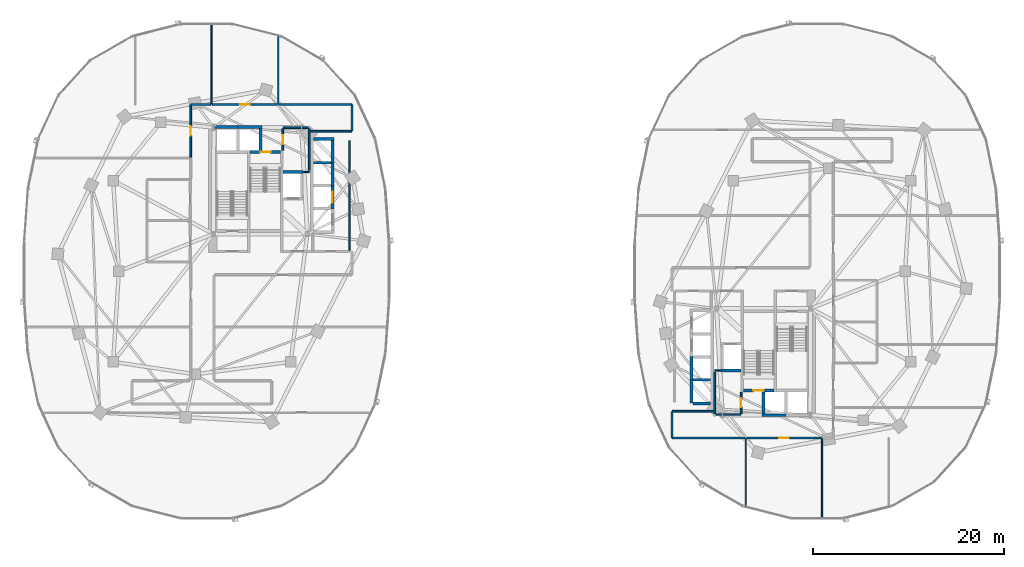
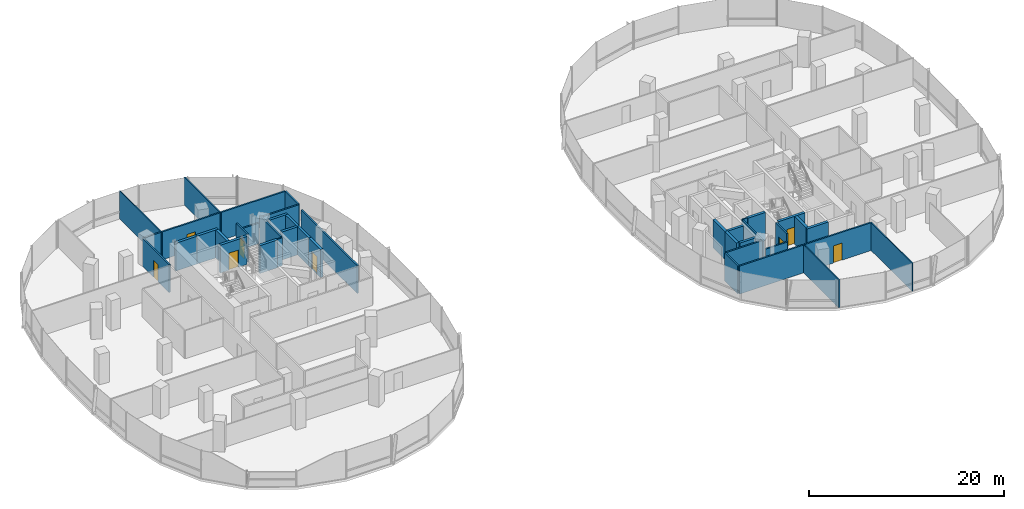
# One storey, part 12 of 21: 41 walls, 8 doors, 8 openings.
"""IFC4 building model written with IfcOpenShell, lengths in metres."""

from ifc_helpers import new_model, si_unit, direction, frame, frame_2d, origin, place, context, subcontext, project, spatial, rectangle, extrude, material, layer, layer_set, type_object, element, fill, save


model = new_model("IFC4")

# Units and contexts
model_context = context("Model", 3, precision=1e-05, world=origin(), true_north=direction((0.0, 1.0)))
body_context = subcontext(model_context, "Body", "Model", "MODEL_VIEW")
ifc_project = project(units=[si_unit("LENGTHUNIT", "METRE"), si_unit("AREAUNIT", "SQUARE_METRE"), si_unit("VOLUMEUNIT", "CUBIC_METRE"), si_unit("PLANEANGLEUNIT", "RADIAN"), si_unit("MASSUNIT", "GRAM", prefix="KILO"), si_unit("THERMODYNAMICTEMPERATUREUNIT", "KELVIN"), si_unit("POWERUNIT", "WATT")], contexts=[model_context])

# Site, building, storey
site_placement = place(None, origin())
site = spatial("IfcSite", under=ifc_project, at=site_placement, CompositionType="ELEMENT")
building_placement = place(site_placement, origin())
building = spatial("IfcBuilding", under=site, at=building_placement, Name="Cundina Bronze Exchange", CompositionType="ELEMENT")
storey_placement = place(building_placement, frame((0.0, 0.0, 65.800048828125)))
storey = spatial("IfcBuildingStorey", under=building, at=storey_placement, Name="L16", CompositionType="ELEMENT", Elevation=65.800048828125)

# Walls
ifc_material_1 = material(Name="Gypsum Fireboard Partition EI120")
ifc_layer_1 = layer(ifc_material_1, 0.179931640625, Name="Gypsum Fireboard Partition EI120")
ifc_layer_set_1 = layer_set([ifc_layer_1], Name="Gypsum Fireboard Partition EI120")
wall_type_1 = type_object("IfcWallType", Name="WL-COR-180", PredefinedType="PARTITIONING", material=ifc_layer_set_1)
wall_1_placement = place(storey_placement, frame((-17.02001953125, 2.169921875, 0.0), z_axis=(0.0, 0.0, 1.0), x_axis=(0.0, 1.0, 0.0)))
element("IfcWall", 1, at=wall_1_placement, inside=storey, type_object=wall_type_1, Name="L16 Interior Partition 001", PredefinedType="PARTITIONING", context=body_context, shape_type="SweptSolid", body=[
    extrude(rectangle(XDim=11.510009765625, YDim=0.179931640625, at=frame_2d((5.7548828125, 0.0))), origin(), (0.0, 0.0, 1.0), 3.5),
])
wall_2_placement = place(storey_placement, frame((-21.25, 10.570068359375, 0.0), z_axis=(0.0, 0.0, 1.0), x_axis=(0.0, 1.0, 0.0)))
element("IfcWall", 2, at=wall_2_placement, inside=storey, type_object=wall_type_1, Name="L16 Interior Partition 004", PredefinedType="PARTITIONING", context=body_context, shape_type="SweptSolid", body=[
    extrude(rectangle(XDim=4.35986328125, YDim=0.179931640625, at=frame_2d((2.179931640625, 0.0))), origin(), (0.0, 0.0, 1.0), 3.5),
])
wall_3_placement = place(storey_placement, frame((-23.9599609375, 15.030029296875, 0.0), z_axis=(0.0, 0.0, 1.0), x_axis=(1.0, 0.0, 0.0)))
element("IfcWall", 3, at=wall_3_placement, inside=storey, type_object=wall_type_1, Name="L16 Interior Partition 005", PredefinedType="PARTITIONING", context=body_context, shape_type="SweptSolid", body=[
    extrude(rectangle(XDim=2.60986328125, YDim=0.179931640625, at=frame_2d((1.304931640625, 0.0))), origin(), (0.0, 0.0, 1.0), 2.572998046875),
])

# Wall, opening, door
wall_4_placement = place(storey_placement, frame((-24.02001953125, 12.669921875, 0.0), z_axis=(0.0, 0.0, 1.0), x_axis=(0.0, 1.0, 0.0)))
wall_4 = element("IfcWall", 4, at=wall_4_placement, inside=storey, type_object=wall_type_1, Name="L16 Interior Partition 006", PredefinedType="PARTITIONING", context=body_context, shape_type="SweptSolid", body=[
    extrude(rectangle(XDim=2.260009765625, YDim=0.179931640625, at=frame_2d((1.1298828125, 0.0))), origin(), (0.0, 0.0, 1.0), 3.5),
])
opening_1_placement = place(wall_4_placement, frame((0.655029296875, 0.0, 0.0)))
opening_1 = element("IfcOpeningElement", 5, at=opening_1_placement, cuts=wall_4, Name="Opening DW-01", PredefinedType="OPENING", context=body_context, shape_type="SweptSolid", body=[
    extrude(rectangle(XDim=0.949951171875, YDim=2.10009765625, at=frame_2d((0.47509765625, 1.050048828125))), frame((0.0, 0.099853515625, 0.0), z_axis=(0.0, -1.0, 0.0), x_axis=(1.0, 0.0, 0.0)), (0.0, 0.0, 1.0), 0.199951171875),
])
ifc_material_2 = material(Name="Solid Andean Oak Timber Grade A", Category="wood")
door_type_1 = type_object("IfcDoorType", Name="DR-WC-950", OperationType="NOTDEFINED", PredefinedType="DOOR", material=ifc_material_2)
door_1_placement = place(opening_1_placement, origin())
door_1 = element("IfcDoor", 6, at=door_1_placement, inside=storey, type_object=door_type_1, Name="L16 Interior Door 006", OperationType="SINGLE_SWING_LEFT", OverallHeight=2.10009765625, OverallWidth=0.949951171875, PredefinedType="DOOR", context=body_context, shape_type="SweptSolid", body=[
    extrude(rectangle(XDim=0.949951171875, YDim=2.10009765625, at=frame_2d((0.47509765625, 1.050048828125))), frame((0.0, 0.02490234375, 0.0), z_axis=(0.0, -1.0, 0.0), x_axis=(1.0, 0.0, 0.0)), (0.0, 0.0, 1.0), 0.050048828125),
])
fill(opening_1, door_1)

# Walls
wall_5_placement = place(storey_placement, frame((-16.821533203125, 17.469970703125, 0.0), z_axis=(0.0, 0.0, 1.0), x_axis=(-1.0, 0.0, 0.0)))
element("IfcWall", 7, at=wall_5_placement, inside=storey, type_object=wall_type_1, Name="L16 Interior Partition 030", PredefinedType="PARTITIONING", context=body_context, shape_type="SweptSolid", body=[
    extrude(rectangle(XDim=7.58837890625, YDim=0.179931640625, at=frame_2d((3.794189453125, 0.0))), origin(), (0.0, 0.0, 1.0), 3.5),
])
wall_6_placement = place(storey_placement, frame((-21.178466796875, 14.679931640625, 0.0), z_axis=(0.0, 0.0, 1.0), x_axis=(1.0, 0.0, 0.0)))
element("IfcWall", 8, at=wall_6_placement, inside=storey, type_object=wall_type_1, Name="L16 Interior Partition 032", PredefinedType="PARTITIONING", context=body_context, shape_type="SweptSolid", body=[
    extrude(rectangle(XDim=4.35693359375, YDim=0.179931640625, at=frame_2d((2.178466796875, 0.0))), origin(), (0.0, 0.0, 1.0), 3.5),
])
wall_7_placement = place(storey_placement, frame((-16.780029296875, 14.721435546875, 0.0), z_axis=(0.0, 0.0, 1.0), x_axis=(0.0, 1.0, 0.0)))
element("IfcWall", 9, at=wall_7_placement, inside=storey, type_object=wall_type_1, Name="L16 Interior Partition 033", PredefinedType="PARTITIONING", context=body_context, shape_type="SweptSolid", body=[
    extrude(rectangle(XDim=2.70703125, YDim=0.179931640625, at=frame_2d((1.353515625, 0.0))), origin(), (0.0, 0.0, 1.0), 3.5),
])

# Wall, opening, door
wall_8_placement = place(storey_placement, frame((-33.669921875, 17.428466796875, 0.0), z_axis=(0.0, 0.0, 1.0), x_axis=(0.0, -1.0, 0.0)))
wall_8 = element("IfcWall", 10, at=wall_8_placement, inside=storey, type_object=wall_type_1, Name="L16 Interior Partition 035", PredefinedType="PARTITIONING", context=body_context, shape_type="SweptSolid", body=[
    extrude(rectangle(XDim=5.45849609375, YDim=0.179931640625, at=frame_2d((2.729248046875, 0.0))), origin(), (0.0, 0.0, 1.0), 3.5),
])
opening_2_placement = place(wall_8_placement, frame((2.229248046875, 0.0, 0.0)))
opening_2 = element("IfcOpeningElement", 11, at=opening_2_placement, cuts=wall_8, Name="Opening DO-01", PredefinedType="OPENING", context=body_context, shape_type="SweptSolid", body=[
    extrude(rectangle(XDim=1.0, YDim=2.14990234375, at=frame_2d((0.5, 1.074951171875))), frame((0.0, 0.099853515625, 0.0), z_axis=(0.0, -1.0, 0.0), x_axis=(1.0, 0.0, 0.0)), (0.0, 0.0, 1.0), 0.199951171875),
])
door_type_2 = type_object("IfcDoorType", Name="DR-OFF-1000", OperationType="NOTDEFINED", PredefinedType="DOOR", material=ifc_material_2)
door_2_placement = place(opening_2_placement, origin())
door_2 = element("IfcDoor", 12, at=door_2_placement, inside=storey, type_object=door_type_2, Name="L16 Interior Door 035", OperationType="SINGLE_SWING_RIGHT", OverallHeight=2.14990234375, OverallWidth=1.0, PredefinedType="DOOR", context=body_context, shape_type="SweptSolid", body=[
    extrude(rectangle(XDim=1.0, YDim=2.14990234375, at=frame_2d((0.5, 1.074951171875))), frame((0.0, 0.02490234375, 0.0), z_axis=(0.0, -1.0, 0.0), x_axis=(1.0, 0.0, 0.0)), (0.0, 0.0, 1.0), 0.050048828125),
])
fill(opening_2, door_2)

# Wall
wall_9_placement = place(storey_placement, frame((-31.590087890625, 17.469970703125, 0.0), z_axis=(0.0, 0.0, 1.0), x_axis=(-1.0, 0.0, 0.0)))
element("IfcWall", 13, at=wall_9_placement, inside=storey, type_object=wall_type_1, Name="L16 Interior Partition 036", PredefinedType="PARTITIONING", context=body_context, shape_type="SweptSolid", body=[
    extrude(rectangle(XDim=2.038330078125, YDim=0.179931640625, at=frame_2d((1.01904296875, 0.0))), origin(), (0.0, 0.0, 1.0), 3.5),
])

# Wall, opening, door
wall_10_placement = place(storey_placement, frame((-24.590087890625, 17.469970703125, 0.0), z_axis=(0.0, 0.0, 1.0), x_axis=(-1.0, 0.0, 0.0)))
wall_10 = element("IfcWall", 14, at=wall_10_placement, inside=storey, type_object=wall_type_1, Name="L16 Interior Partition 037", PredefinedType="PARTITIONING", context=body_context, shape_type="SweptSolid", body=[
    extrude(rectangle(XDim=6.81982421875, YDim=0.179931640625, at=frame_2d((3.409912109375, 0.0))), origin(), (0.0, 0.0, 1.0), 3.5),
])
opening_3_placement = place(wall_10_placement, frame((2.909912109375, 0.0, 0.0)))
opening_3 = element("IfcOpeningElement", 15, at=opening_3_placement, cuts=wall_10, Name="Opening DO-01", PredefinedType="OPENING", context=body_context, shape_type="SweptSolid", body=[
    extrude(rectangle(XDim=1.0, YDim=2.14990234375, at=frame_2d((0.5, 1.074951171875))), frame((0.0, 0.099853515625, 0.0), z_axis=(0.0, -1.0, 0.0), x_axis=(1.0, 0.0, 0.0)), (0.0, 0.0, 1.0), 0.199951171875),
])
door_3_placement = place(opening_3_placement, origin())
door_3 = element("IfcDoor", 16, at=door_3_placement, inside=storey, type_object=door_type_2, Name="L16 Interior Door 037", OperationType="SINGLE_SWING_LEFT", OverallHeight=2.14990234375, OverallWidth=1.0, PredefinedType="DOOR", context=body_context, shape_type="SweptSolid", body=[
    extrude(rectangle(XDim=1.0, YDim=2.14990234375, at=frame_2d((0.5, 1.074951171875))), frame((0.0, 0.02490234375, 0.0), z_axis=(0.0, -1.0, 0.0), x_axis=(1.0, 0.0, 0.0)), (0.0, 0.0, 1.0), 0.050048828125),
])
fill(opening_3, door_3)

# Walls
wall_11_placement = place(storey_placement, frame((21.25, -14.929931640625, 0.0), z_axis=(0.0, 0.0, 1.0), x_axis=(0.0, 1.0, 0.0)))
element("IfcWall", 17, at=wall_11_placement, inside=storey, type_object=wall_type_1, Name="L16 Interior Partition 042", PredefinedType="PARTITIONING", context=body_context, shape_type="SweptSolid", body=[
    extrude(rectangle(XDim=4.35986328125, YDim=0.179931640625, at=frame_2d((2.179931640625, 0.0))), origin(), (0.0, 0.0, 1.0), 3.5),
])
wall_12_placement = place(storey_placement, frame((21.35009765625, -15.030029296875, 0.0), z_axis=(0.0, 0.0, 1.0), x_axis=(1.0, 0.0, 0.0)))
element("IfcWall", 18, at=wall_12_placement, inside=storey, type_object=wall_type_1, Name="L16 Interior Partition 043", PredefinedType="PARTITIONING", context=body_context, shape_type="SweptSolid", body=[
    extrude(rectangle(XDim=2.60986328125, YDim=0.179931640625, at=frame_2d((1.304931640625, 0.0))), origin(), (0.0, 0.0, 1.0), 2.572998046875),
])

# Wall, opening, door
wall_13_placement = place(storey_placement, frame((24.02001953125, -14.929931640625, 0.0), z_axis=(0.0, 0.0, 1.0), x_axis=(0.0, 1.0, 0.0)))
wall_13 = element("IfcWall", 19, at=wall_13_placement, inside=storey, type_object=wall_type_1, Name="L16 Interior Partition 044", PredefinedType="PARTITIONING", context=body_context, shape_type="SweptSolid", body=[
    extrude(rectangle(XDim=2.260009765625, YDim=0.179931640625, at=frame_2d((1.1298828125, 0.0))), origin(), (0.0, 0.0, 1.0), 3.5),
])
opening_4_placement = place(wall_13_placement, frame((0.655029296875, 0.0, 0.0)))
opening_4 = element("IfcOpeningElement", 20, at=opening_4_placement, cuts=wall_13, Name="Opening DW-01", PredefinedType="OPENING", context=body_context, shape_type="SweptSolid", body=[
    extrude(rectangle(XDim=0.949951171875, YDim=2.10009765625, at=frame_2d((0.47509765625, 1.050048828125))), frame((0.0, 0.099853515625, 0.0), z_axis=(0.0, -1.0, 0.0), x_axis=(1.0, 0.0, 0.0)), (0.0, 0.0, 1.0), 0.199951171875),
])
door_4_placement = place(opening_4_placement, origin())
door_4 = element("IfcDoor", 21, at=door_4_placement, inside=storey, type_object=door_type_1, Name="L16 Interior Door 044", OperationType="SINGLE_SWING_RIGHT", OverallHeight=2.10009765625, OverallWidth=0.949951171875, PredefinedType="DOOR", context=body_context, shape_type="SweptSolid", body=[
    extrude(rectangle(XDim=0.949951171875, YDim=2.10009765625, at=frame_2d((0.47509765625, 1.050048828125))), frame((0.0, 0.02490234375, 0.0), z_axis=(0.0, -1.0, 0.0), x_axis=(1.0, 0.0, 0.0)), (0.0, 0.0, 1.0), 0.050048828125),
])
fill(opening_4, door_4)

wall_14_placement = place(storey_placement, frame((24.590087890625, -17.469970703125, 0.0), z_axis=(0.0, 0.0, 1.0), x_axis=(1.0, 0.0, 0.0)))
wall_14 = element("IfcWall", 22, at=wall_14_placement, inside=storey, type_object=wall_type_1, Name="L16 Interior Partition 060", PredefinedType="PARTITIONING", context=body_context, shape_type="SweptSolid", body=[
    extrude(rectangle(XDim=7.81982421875, YDim=0.179931640625, at=frame_2d((3.909912109375, 0.0))), origin(), (0.0, 0.0, 1.0), 3.5),
])
opening_5_placement = place(wall_14_placement, frame((3.409912109375, 0.0, 0.0)))
opening_5 = element("IfcOpeningElement", 23, at=opening_5_placement, cuts=wall_14, Name="Opening DO-01", PredefinedType="OPENING", context=body_context, shape_type="SweptSolid", body=[
    extrude(rectangle(XDim=1.0, YDim=2.14990234375, at=frame_2d((0.5, 1.074951171875))), frame((0.0, 0.099853515625, 0.0), z_axis=(0.0, -1.0, 0.0), x_axis=(1.0, 0.0, 0.0)), (0.0, 0.0, 1.0), 0.199951171875),
])
door_5_placement = place(opening_5_placement, origin())
door_5 = element("IfcDoor", 24, at=door_5_placement, inside=storey, type_object=door_type_2, Name="L16 Interior Door 060", OperationType="SINGLE_SWING_RIGHT", OverallHeight=2.14990234375, OverallWidth=1.0, PredefinedType="DOOR", context=body_context, shape_type="SweptSolid", body=[
    extrude(rectangle(XDim=1.0, YDim=2.14990234375, at=frame_2d((0.5, 1.074951171875))), frame((0.0, 0.02490234375, 0.0), z_axis=(0.0, -1.0, 0.0), x_axis=(1.0, 0.0, 0.0)), (0.0, 0.0, 1.0), 0.050048828125),
])
fill(opening_5, door_5)

# Walls
wall_15_placement = place(storey_placement, frame((16.821533203125, -17.469970703125, 0.0), z_axis=(0.0, 0.0, 1.0), x_axis=(1.0, 0.0, 0.0)))
element("IfcWall", 25, at=wall_15_placement, inside=storey, type_object=wall_type_1, Name="L16 Interior Partition 065", PredefinedType="PARTITIONING", context=body_context, shape_type="SweptSolid", body=[
    extrude(rectangle(XDim=7.58837890625, YDim=0.179931640625, at=frame_2d((3.794189453125, 0.0))), origin(), (0.0, 0.0, 1.0), 3.5),
])
wall_16_placement = place(storey_placement, frame((21.178466796875, -14.679931640625, 0.0), z_axis=(0.0, 0.0, 1.0), x_axis=(-1.0, 0.0, 0.0)))
element("IfcWall", 26, at=wall_16_placement, inside=storey, type_object=wall_type_1, Name="L16 Interior Partition 067", PredefinedType="PARTITIONING", context=body_context, shape_type="SweptSolid", body=[
    extrude(rectangle(XDim=4.35693359375, YDim=0.179931640625, at=frame_2d((2.178466796875, 0.0))), origin(), (0.0, 0.0, 1.0), 3.5),
])
wall_17_placement = place(storey_placement, frame((16.780029296875, -14.721435546875, 0.0), z_axis=(0.0, 0.0, 1.0), x_axis=(0.0, -1.0, 0.0)))
element("IfcWall", 27, at=wall_17_placement, inside=storey, type_object=wall_type_1, Name="L16 Interior Partition 068", PredefinedType="PARTITIONING", context=body_context, shape_type="SweptSolid", body=[
    extrude(rectangle(XDim=2.70703125, YDim=0.179931640625, at=frame_2d((1.353515625, 0.0))), origin(), (0.0, 0.0, 1.0), 3.5),
])
ifc_material_3 = material(Name="Gypsum Acoustic Partition EI60")
ifc_layer_2 = layer(ifc_material_3, 0.125, Name="Gypsum Acoustic Partition EI60")
ifc_layer_set_2 = layer_set([ifc_layer_2], Name="Gypsum Acoustic Partition EI60")
wall_type_2 = type_object("IfcWallType", Name="WL-OFF-125", PredefinedType="PARTITIONING", material=ifc_layer_set_2)
wall_18_placement = place(storey_placement, frame((-31.5, 17.5, 0.0), z_axis=(0.0, 0.0, 1.0), x_axis=(0.0, 1.0, 0.0)))
element("IfcWall", 28, at=wall_18_placement, inside=storey, type_object=wall_type_2, Name="L16 Interior Partition 018", PredefinedType="PARTITIONING", context=body_context, shape_type="SweptSolid", body=[
    extrude(rectangle(XDim=8.485107421875, YDim=0.125, at=frame_2d((4.24267578125, 0.0))), origin(), (0.0, 0.0, 1.0), 3.5),
])
for number, where, z_axis, x_axis, name in (
    (29, (-24.5, 17.5, 0.0), (0.0, 0.0, 1.0), (0.0, 1.0, 0.0), "L16 Interior Partition 019"),
    (30, (24.5, -24.772216796875, 0.0), (0.0, 0.0, 1.0), (0.0, 1.0, 0.0), "L16 Interior Partition 057"),
):
    element("IfcWall", number, at=place(storey_placement, frame(where, z_axis=z_axis, x_axis=x_axis)), inside=storey, type_object=wall_type_2, Name=name, PredefinedType="PARTITIONING", context=body_context, shape_type="SweptSolid", body=[
        extrude(rectangle(XDim=7.272216796875, YDim=0.125, at=frame_2d((3.63623046875, 0.0))), origin(), (0.0, 0.0, 1.0), 3.5),
    ])
wall_19_placement = place(storey_placement, frame((32.5, -25.985107421875, 0.0), z_axis=(0.0, 0.0, 1.0), x_axis=(0.0, 1.0, 0.0)))
element("IfcWall", 31, at=wall_19_placement, inside=storey, type_object=wall_type_2, Name="L16 Interior Partition 058", PredefinedType="PARTITIONING", context=body_context, shape_type="SweptSolid", body=[
    extrude(rectangle(XDim=8.485107421875, YDim=0.125, at=frame_2d((4.24267578125, 0.0))), origin(), (0.0, 0.0, 1.0), 3.5),
])

# Wall, opening, door
ifc_material_4 = material(Name="Concrete C50/60", Category="concrete")
ifc_layer_3 = layer(ifc_material_4, 0.300048828125, Name="Concrete C50/60", Category="concrete")
ifc_layer_set_3 = layer_set([ifc_layer_3], Name="Concrete C50/60")
wall_type_3 = type_object("IfcWallType", Name="WL-SHFT-300", PredefinedType="SHEAR", material=ifc_layer_set_3)
wall_20_placement = place(storey_placement, frame((-27.43994140625, 12.5, 0.0), z_axis=(0.0, 0.0, 1.0), x_axis=(1.0, 0.0, 0.0)))
wall_20 = element("IfcWall", 32, at=wall_20_placement, inside=storey, type_object=wall_type_3, Name="L16 Stair W2 Landing Wall", PredefinedType="SHEAR", context=body_context, shape_type="SweptSolid", body=[
    extrude(rectangle(XDim=3.159912109375, YDim=0.300048828125, at=frame_2d((1.580078125, 0.0))), origin(), (0.0, 0.0, 1.0), 3.5),
])
opening_6_placement = place(wall_20_placement, frame((1.030029296875, 0.0, 0.0)))
opening_6 = element("IfcOpeningElement", 33, at=opening_6_placement, cuts=wall_20, Name="Opening DS-01", PredefinedType="OPENING", context=body_context, shape_type="SweptSolid", body=[
    extrude(rectangle(XDim=1.10009765625, YDim=2.14990234375, at=frame_2d((0.550048828125, 1.074951171875))), frame((0.0, 0.159912109375, 0.0), z_axis=(0.0, -1.0, 0.0), x_axis=(1.0, 0.0, 0.0)), (0.0, 0.0, 1.0), 0.320068359375),
])
ifc_material_5 = material(Name="Steel ASTM A36 Painted", Category="steel")
door_type_3 = type_object("IfcDoorType", Name="DR-STR-1100", OperationType="NOTDEFINED", PredefinedType="DOOR", material=ifc_material_5)
door_6_placement = place(opening_6_placement, origin())
door_6 = element("IfcDoor", 34, at=door_6_placement, inside=storey, type_object=door_type_3, Name="L16 Smokeproof Stair W2 Door", OperationType="SINGLE_SWING_LEFT", OverallHeight=2.14990234375, OverallWidth=1.10009765625, PredefinedType="DOOR", context=body_context, shape_type="SweptSolid", body=[
    extrude(rectangle(XDim=1.10009765625, YDim=2.14990234375, at=frame_2d((0.550048828125, 1.074951171875))), frame((0.0, 0.02490234375, 0.0), z_axis=(0.0, -1.0, 0.0), x_axis=(1.0, 0.0, 0.0)), (0.0, 0.0, 1.0), 0.050048828125),
])
fill(opening_6, door_6)

# Walls
wall_21_placement = place(storey_placement, frame((-23.97998046875, 10.39990234375, 0.0), z_axis=(0.0, 0.0, 1.0), x_axis=(1.0, 0.0, 0.0)))
element("IfcWall", 35, at=wall_21_placement, inside=storey, type_object=wall_type_3, Name="L16 FFL-W Hoistway Back Wall", PredefinedType="SHEAR", context=body_context, shape_type="SweptSolid", body=[
    extrude(rectangle(XDim=2.10009765625, YDim=0.300048828125, at=frame_2d((1.050048828125, 0.0))), origin(), (0.0, 0.0, 1.0), 3.5),
])
for number, where, z_axis, x_axis, name in (
    (36, (-31.199951171875, 15.10009765625, 0.0), (0.0, 0.0, 1.0), (1.0, 0.0, 0.0), "L16 PH-W1 Hoistway Front Wall"),
    (37, (-28.699951171875, 15.10009765625, 0.0), (0.0, 0.0, 1.0), (1.0, 0.0, 0.0), "L16 PH-W2 Hoistway Front Wall"),
):
    element("IfcWall", number, at=place(storey_placement, frame(where, z_axis=z_axis, x_axis=x_axis)), inside=storey, type_object=wall_type_3, Name=name, PredefinedType="SHEAR", context=body_context, shape_type="SweptSolid", body=[
        extrude(rectangle(XDim=2.5, YDim=0.300048828125, at=frame_2d((1.25, 0.0))), origin(), (0.0, 0.0, 1.0), 3.5),
    ])
wall_22_placement = place(storey_placement, frame((-26.35009765625, 12.64990234375, 0.0), z_axis=(0.0, 0.0, 1.0), x_axis=(0.0, 1.0, 0.0)))
element("IfcWall", 38, at=wall_22_placement, inside=storey, type_object=wall_type_3, Name="L16 PH-W2 Hoistway Divider Wall", PredefinedType="SHEAR", context=body_context, shape_type="SweptSolid", body=[
    extrude(rectangle(XDim=2.300048828125, YDim=0.300048828125, at=frame_2d((1.14990234375, 0.0))), origin(), (0.0, 0.0, 1.0), 3.5),
])
wall_23_placement = place(storey_placement, frame((-20.800048828125, 13.85009765625, 0.0), z_axis=(0.0, 0.0, 1.0), x_axis=(1.0, 0.0, 0.0)))
element("IfcWall", 39, at=wall_23_placement, inside=storey, type_object=wall_type_3, Name="L16 W Passenger Bank North Cap Wall", PredefinedType="SHEAR", context=body_context, shape_type="SweptSolid", body=[
    extrude(rectangle(XDim=2.150146484375, YDim=0.300048828125, at=frame_2d((1.0751953125, 0.0))), origin(), (0.0, 0.0, 1.0), 3.5),
])
wall_24_placement = place(storey_placement, frame((-20.800048828125, 11.375, 0.0), z_axis=(0.0, 0.0, 1.0), x_axis=(1.0, 0.0, 0.0)))
element("IfcWall", 40, at=wall_24_placement, inside=storey, type_object=wall_type_3, Name="L16 W Passenger Hoistway Divider 3", PredefinedType="SHEAR", context=body_context, shape_type="SweptSolid", body=[
    extrude(rectangle(XDim=1.85009765625, YDim=0.300048828125, at=frame_2d((0.925048828125, 0.0))), origin(), (0.0, 0.0, 1.0), 3.5),
])

# Wall, opening, door
wall_25_placement = place(storey_placement, frame((-18.800048828125, 6.530029296875, 0.0), z_axis=(0.0, 0.0, 1.0), x_axis=(0.0, 1.0, 0.0)))
wall_25 = element("IfcWall", 41, at=wall_25_placement, inside=storey, type_object=wall_type_3, Name="L16 PL-W1 Hoistway Front Wall", PredefinedType="SHEAR", context=body_context, shape_type="SweptSolid", body=[
    extrude(rectangle(XDim=2.489990234375, YDim=0.300048828125, at=frame_2d((1.2451171875, 0.0))), origin(), (0.0, 0.0, 1.0), 3.5),
])
opening_7_placement = place(wall_25_placement, frame((0.669921875, 0.0, 0.0)))
opening_7 = element("IfcOpeningElement", 42, at=opening_7_placement, cuts=wall_25, Name="Opening LD-01", PredefinedType="OPENING", context=body_context, shape_type="SweptSolid", body=[
    extrude(rectangle(XDim=1.14990234375, YDim=2.199951171875, at=frame_2d((0.574951171875, 1.10009765625))), frame((0.0, 0.159912109375, 0.0), z_axis=(0.0, -1.0, 0.0), x_axis=(1.0, 0.0, 0.0)), (0.0, 0.0, 1.0), 0.320068359375),
])
door_type_4 = type_object("IfcDoorType", Name="DR-LND-1150", OperationType="NOTDEFINED", PredefinedType="TRAPDOOR", material=ifc_material_5)
door_7_placement = place(opening_7_placement, origin())
door_7 = element("IfcDoor", 43, at=door_7_placement, inside=storey, type_object=door_type_4, Name="L16 PL-W1 Sliding Landing Door", OperationType="SLIDING_TO_LEFT", OverallHeight=2.199951171875, OverallWidth=1.14990234375, PredefinedType="TRAPDOOR", context=body_context, shape_type="SweptSolid", body=[
    extrude(rectangle(XDim=1.14990234375, YDim=2.199951171875, at=frame_2d((0.574951171875, 1.10009765625))), frame((0.0, 0.02490234375, 0.0), z_axis=(0.0, -1.0, 0.0), x_axis=(1.0, 0.0, 0.0)), (0.0, 0.0, 1.0), 0.050048828125),
])
fill(opening_7, door_7)

# Walls
for number, where, z_axis, x_axis, name in (
    (44, (-18.800048828125, 8.929931640625, 0.0), (0.0, 0.0, 1.0), (0.0, 1.0, 0.0), "L16 PM-W2 Hoistway Front Wall"),
    (45, (-18.800048828125, 11.330078125, 0.0), (0.0, 0.0, 1.0), (0.0, 1.0, 0.0), "L16 PM-W1 Hoistway Front Wall"),
):
    element("IfcWall", number, at=place(storey_placement, frame(where, z_axis=z_axis, x_axis=x_axis)), inside=storey, type_object=wall_type_3, Name=name, PredefinedType="SHEAR", context=body_context, shape_type="SweptSolid", body=[
        extrude(rectangle(XDim=2.489990234375, YDim=0.300048828125, at=frame_2d((1.2451171875, 0.0))), origin(), (0.0, 0.0, 1.0), 3.5),
    ])

# Wall, opening, door
wall_26_placement = place(storey_placement, frame((24.280029296875, -12.5, 0.0), z_axis=(0.0, 0.0, 1.0), x_axis=(1.0, 0.0, 0.0)))
wall_26 = element("IfcWall", 46, at=wall_26_placement, inside=storey, type_object=wall_type_3, Name="L16 Stair E2 Landing Wall", PredefinedType="SHEAR", context=body_context, shape_type="SweptSolid", body=[
    extrude(rectangle(XDim=3.159912109375, YDim=0.300048828125, at=frame_2d((1.580078125, 0.0))), origin(), (0.0, 0.0, 1.0), 3.5),
])
opening_8_placement = place(wall_26_placement, frame((1.030029296875, 0.0, 0.0)))
opening_8 = element("IfcOpeningElement", 47, at=opening_8_placement, cuts=wall_26, Name="Opening DS-01", PredefinedType="OPENING", context=body_context, shape_type="SweptSolid", body=[
    extrude(rectangle(XDim=1.10009765625, YDim=2.14990234375, at=frame_2d((0.550048828125, 1.074951171875))), frame((0.0, 0.159912109375, 0.0), z_axis=(0.0, -1.0, 0.0), x_axis=(1.0, 0.0, 0.0)), (0.0, 0.0, 1.0), 0.320068359375),
])
door_8_placement = place(opening_8_placement, origin())
door_8 = element("IfcDoor", 48, at=door_8_placement, inside=storey, type_object=door_type_3, Name="L16 Smokeproof Stair E2 Door", OperationType="SINGLE_SWING_RIGHT", OverallHeight=2.14990234375, OverallWidth=1.10009765625, PredefinedType="DOOR", context=body_context, shape_type="SweptSolid", body=[
    extrude(rectangle(XDim=1.10009765625, YDim=2.14990234375, at=frame_2d((0.550048828125, 1.074951171875))), frame((0.0, 0.02490234375, 0.0), z_axis=(0.0, -1.0, 0.0), x_axis=(1.0, 0.0, 0.0)), (0.0, 0.0, 1.0), 0.050048828125),
])
fill(opening_8, door_8)

# Walls
wall_27_placement = place(storey_placement, frame((21.8798828125, -10.39990234375, 0.0), z_axis=(0.0, 0.0, 1.0), x_axis=(1.0, 0.0, 0.0)))
element("IfcWall", 49, at=wall_27_placement, inside=storey, type_object=wall_type_3, Name="L16 FFL-E Hoistway Back Wall", PredefinedType="SHEAR", context=body_context, shape_type="SweptSolid", body=[
    extrude(rectangle(XDim=2.10009765625, YDim=0.300048828125, at=frame_2d((1.050048828125, 0.0))), origin(), (0.0, 0.0, 1.0), 3.5),
])
wall_28_placement = place(storey_placement, frame((26.199951171875, -15.10009765625, 0.0), z_axis=(0.0, 0.0, 1.0), x_axis=(1.0, 0.0, 0.0)))
element("IfcWall", 50, at=wall_28_placement, inside=storey, type_object=wall_type_3, Name="L16 PH-E2 Hoistway Front Wall", PredefinedType="SHEAR", context=body_context, shape_type="SweptSolid", body=[
    extrude(rectangle(XDim=2.5, YDim=0.300048828125, at=frame_2d((1.25, 0.0))), origin(), (0.0, 0.0, 1.0), 3.5),
])
wall_29_placement = place(storey_placement, frame((26.35009765625, -14.949951171875, 0.0), z_axis=(0.0, 0.0, 1.0), x_axis=(0.0, 1.0, 0.0)))
element("IfcWall", 51, at=wall_29_placement, inside=storey, type_object=wall_type_3, Name="L16 PH-E2 Hoistway Divider Wall", PredefinedType="SHEAR", context=body_context, shape_type="SweptSolid", body=[
    extrude(rectangle(XDim=2.300048828125, YDim=0.300048828125, at=frame_2d((1.14990234375, 0.0))), origin(), (0.0, 0.0, 1.0), 3.5),
])
for number, where, z_axis, x_axis, name in (
    (52, (18.949951171875, -13.85009765625, 0.0), (0.0, 0.0, 1.0), (1.0, 0.0, 0.0), "L16 E Passenger Bank South Cap Wall"),
    (53, (18.949951171875, -11.375, 0.0), (0.0, 0.0, 1.0), (1.0, 0.0, 0.0), "L16 E Passenger Hoistway Divider 1"),
):
    element("IfcWall", number, at=place(storey_placement, frame(where, z_axis=z_axis, x_axis=x_axis)), inside=storey, type_object=wall_type_3, Name=name, PredefinedType="SHEAR", context=body_context, shape_type="SweptSolid", body=[
        extrude(rectangle(XDim=1.85009765625, YDim=0.300048828125, at=frame_2d((0.925048828125, 0.0))), origin(), (0.0, 0.0, 1.0), 3.5),
    ])
for number, where, z_axis, x_axis, name in (
    (54, (18.800048828125, -13.820068359375, 0.0), (0.0, 0.0, 1.0), (0.0, 1.0, 0.0), "L16 PM-E1 Hoistway Front Wall"),
    (55, (18.800048828125, -11.419921875, 0.0), (0.0, 0.0, 1.0), (0.0, 1.0, 0.0), "L16 PM-E2 Hoistway Front Wall"),
):
    element("IfcWall", number, at=place(storey_placement, frame(where, z_axis=z_axis, x_axis=x_axis)), inside=storey, type_object=wall_type_3, Name=name, PredefinedType="SHEAR", context=body_context, shape_type="SweptSolid", body=[
        extrude(rectangle(XDim=2.489990234375, YDim=0.300048828125, at=frame_2d((1.2451171875, 0.0))), origin(), (0.0, 0.0, 1.0), 3.5),
    ])
ifc_material_6 = material(Name="Moisture-Resistant Masonry Block Grade M15", Category="masonry")
ifc_layer_4 = layer(ifc_material_6, 0.139892578125, Name="Moisture-Resistant Masonry Block Grade M15", Category="masonry")
ifc_layer_set_4 = layer_set([ifc_layer_4], Name="Moisture-Resistant Masonry Block Grade M15")
wall_type_4 = type_object("IfcWallType", Name="WL-WET-140", PredefinedType="PARTITIONING", material=ifc_layer_set_4)
for number, where, z_axis, x_axis, name in (
    (56, (-21.860107421875, 10.39990234375, 0.0), (0.0, 0.0, 1.0), (1.0, 0.0, 0.0), "L16 Interior Partition 003"),
    (57, (21.27001953125, -10.39990234375, 0.0), (0.0, 0.0, 1.0), (1.0, 0.0, 0.0), "L16 Interior Partition 041"),
):
    element("IfcWall", number, at=place(storey_placement, frame(where, z_axis=z_axis, x_axis=x_axis)), inside=storey, type_object=wall_type_4, Name=name, PredefinedType="PARTITIONING", context=body_context, shape_type="SweptSolid", body=[
        extrude(rectangle(XDim=0.590087890625, YDim=0.139892578125, at=frame_2d((0.294921875, 0.0))), origin(), (0.0, 0.0, 1.0), 3.5),
    ])

save(model, "model.ifc")
